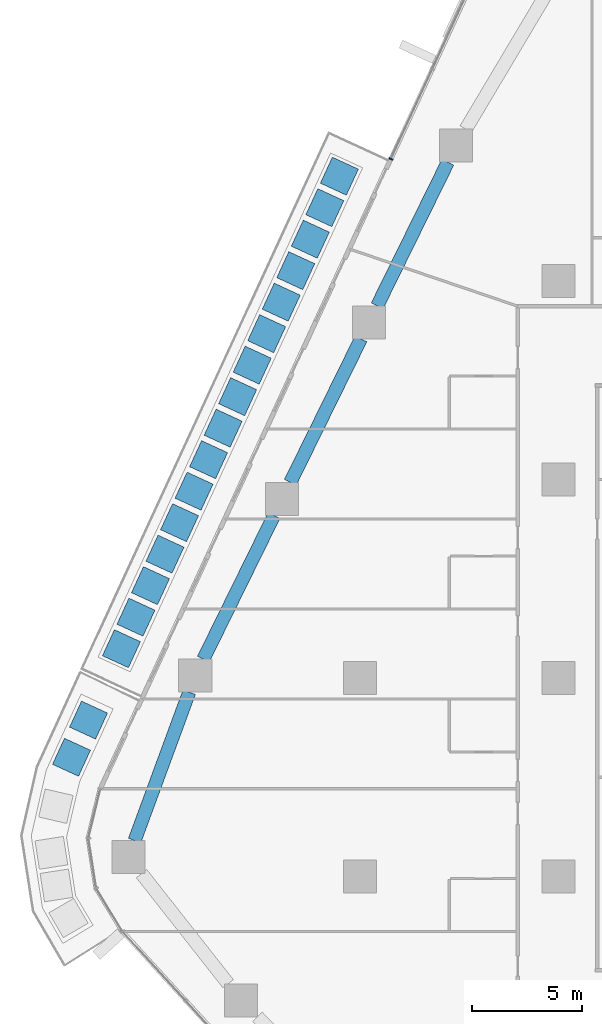
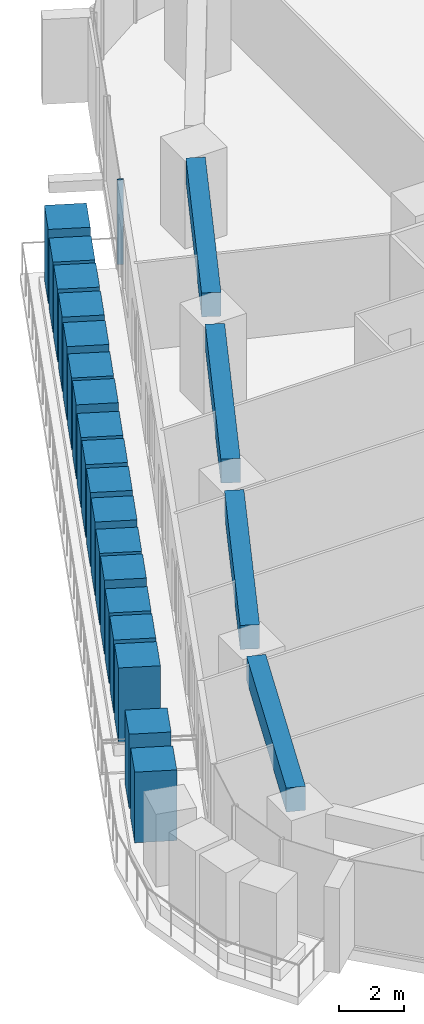
# One storey, part 6 of 27: 19 members, 4 beams, 1 element without a shape of its own.
"""IFC4 building model written with IfcOpenShell, lengths in metres."""

from ifc_helpers import new_model, si_unit, direction, frame, origin, origin_2d, place, context, subcontext, project, spatial, rectangle, extrude, material, layer, layer_set, material_profile, profile_set, type_object, element, aggregate, save


model = new_model("IFC4")

# Units and contexts
model_context = context("Model", 3, precision=1e-05, world=origin(), true_north=direction((0.0, 1.0)))
body_context = subcontext(model_context, "Body", "Model", "MODEL_VIEW")
ifc_project = project(units=[si_unit("LENGTHUNIT", "METRE"), si_unit("AREAUNIT", "SQUARE_METRE"), si_unit("VOLUMEUNIT", "CUBIC_METRE"), si_unit("PLANEANGLEUNIT", "RADIAN"), si_unit("MASSUNIT", "GRAM", prefix="KILO")], contexts=[model_context])

# Site, building, storey
site_placement = place(None, origin())
site = spatial("IfcSite", under=ifc_project, at=site_placement, CompositionType="ELEMENT")
building_placement = place(site_placement, origin())
building = spatial("IfcBuilding", under=site, at=building_placement, Name="Dongbaek Canopy Tower", CompositionType="ELEMENT")
storey_placement = place(building_placement, frame((0.0, 0.0, 58.800048828125)))
storey = spatial("IfcBuildingStorey", under=building, at=storey_placement, Name="L10", CompositionType="ELEMENT", Elevation=58.800048828125)

# Curtain wall, member
ifc_material_1 = material(Name="Aluminium 6063-T6 pale anodised", Category="aluminium")
ifc_layer = layer(ifc_material_1, 0.199951171875)
ifc_layer_set = layer_set([ifc_layer], Name="CW-1 unitised tower curtain wall")
curtain_wall_type = type_object("IfcCurtainWallType", Name="CW-1 unitised tower curtain wall", PredefinedType="NOTDEFINED", material=ifc_layer_set)
curtain_wall_placement = place(storey_placement, origin())
curtain_wall = element("IfcCurtainWall", 1, at=curtain_wall_placement, inside=storey, type_object=curtain_wall_type, Name="CW-1 curtain wall F2.1", PredefinedType="NOTDEFINED")
ifc_material_2 = material(Name="Aluminium 6063-T6 pale anodised", Category="aluminium")
ifc_material_profile_1 = material_profile(ifc_material_2, rectangle(XDim=0.199951171875, YDim=0.06005859375, at=origin_2d()), Name="CW-1 mullion 60 x 200")
ifc_profile_set_1 = profile_set([ifc_material_profile_1], Name="Aluminium 6063-T6 pale anodised")
member_type_1 = type_object("IfcMemberType", Name="CW-1 mullion 60 x 200", PredefinedType="MULLION", material=ifc_profile_set_1)
member_1_placement = place(storey_placement, frame((-25.60107421875, 23.524169921875, 0.119873046875), z_axis=(0.0, 0.0, 1.0), x_axis=(-0.908073315942, 0.418811237761, 0.0)))
member_1 = element("IfcMember", 2, at=member_1_placement, type_object=member_type_1, Name="CW-1 mullion F2.1.3", PredefinedType="MULLION", context=body_context, shape_type="SweptSolid", body=[
    extrude(rectangle(XDim=0.199951171875, YDim=0.06005859375, at=origin_2d()), origin(), (0.0, 0.0, 1.0), 3.18017578125),
])
aggregate(curtain_wall, [member_1])

# Beams
ifc_material_3 = material(Name="Concrete C80", Category="concrete")
ifc_material_profile_2 = material_profile(ifc_material_3, rectangle(XDim=0.60009765625, YDim=0.89990234375, at=origin_2d()), Name="RC EDGE BEAM 600x900 C80")
ifc_profile_set_2 = profile_set([ifc_material_profile_2], Name="Concrete C80")
beam_type = type_object("IfcBeamType", Name="RC EDGE BEAM 600x900 C80", PredefinedType="BEAM", material=ifc_profile_set_2)
beam_1_placement = place(storey_placement, frame((-37.213134765625, -7.373046875, 2.849853515625), z_axis=(0.345225397682, 0.938519805223, 0.0), x_axis=(-0.938519805223, 0.345225397682, 0.0)))
element("IfcBeam", 3, at=beam_1_placement, inside=storey, type_object=beam_type, Name="EDGEBEAM:L10:08", PredefinedType="BEAM", context=body_context, shape_type="SweptSolid", body=[
    extrude(rectangle(XDim=0.60009765625, YDim=0.89990234375, at=origin_2d()), origin(), (0.0, 0.0, 1.0), 7.166748046875),
])
beam_2_placement = place(storey_placement, frame((-34.09423828125, 0.85302734375, 2.849853515625), z_axis=(0.441292548313, 0.897363297, 0.0), x_axis=(-0.897363297, 0.441292548313, 0.0)))
element("IfcBeam", 4, at=beam_2_placement, inside=storey, type_object=beam_type, Name="EDGEBEAM:L10:09", PredefinedType="BEAM", context=body_context, shape_type="SweptSolid", body=[
    extrude(rectangle(XDim=0.60009765625, YDim=0.89990234375, at=origin_2d()), origin(), (0.0, 0.0, 1.0), 7.25244140625),
])
for number, where, z_axis, x_axis, name in (
    (5, (-30.156005859375, 8.861083984375, 2.849853515625), (0.441413427837, 0.897303842477, 0.0), (-0.897303842477, 0.441413427837, 0.0), "EDGEBEAM:L10:10"),
    (6, (-26.217041015625, 16.867919921875, 2.849853515625), (0.441318766596, 0.897350403271, 0.0), (-0.897350403271, 0.441318766596, 0.0), "EDGEBEAM:L10:11"),
):
    element("IfcBeam", number, at=place(storey_placement, frame(where, z_axis=z_axis, x_axis=x_axis)), inside=storey, type_object=beam_type, Name=name, PredefinedType="BEAM", context=body_context, shape_type="SweptSolid", body=[
        extrude(rectangle(XDim=0.60009765625, YDim=0.89990234375, at=origin_2d()), origin(), (0.0, 0.0, 1.0), 7.25146484375),
    ])

# Members
ifc_material_4 = material(Name="Concrete C40/50 planter mass with planting", Category="concrete")
ifc_material_profile_3 = material_profile(ifc_material_4, rectangle(XDim=1.300048828125, YDim=1.300048828125, at=origin_2d()), Name="Terrace PLANTER shrub mass 1300 x 1300")
ifc_profile_set_3 = profile_set([ifc_material_profile_3], Name="Concrete C40/50 planter mass with planting")
member_type_2 = type_object("IfcMemberType", Name="Terrace PLANTER shrub mass 1300 x 1300", PredefinedType="USERDEFINED", material=ifc_profile_set_3)
member_2_placement = place(storey_placement, frame((-27.9326171875, 22.74267578125, 0.419921875), z_axis=(0.0, 0.0, 1.0), x_axis=(-0.908073315942, 0.418811237761, 0.0)))
element("IfcMember", 7, at=member_2_placement, inside=storey, type_object=member_type_2, Name="Planter shrubs L10 3.1", ObjectType="PLANTER", PredefinedType="USERDEFINED", context=body_context, shape_type="SweptSolid", body=[
    extrude(rectangle(XDim=1.300048828125, YDim=1.300048828125, at=origin_2d()), origin(), (0.0, 0.0, 1.0), 2.780029296875),
])
member_3_placement = place(storey_placement, frame((-28.59130859375, 21.314697265625, 0.419921875), z_axis=(0.0, 0.0, 1.0), x_axis=(-0.908073315942, 0.418811237761, 0.0)))
element("IfcMember", 8, at=member_3_placement, inside=storey, type_object=member_type_2, Name="Planter shrubs L10 3.2", ObjectType="PLANTER", PredefinedType="USERDEFINED", context=body_context, shape_type="SweptSolid", body=[
    extrude(rectangle(XDim=1.300048828125, YDim=1.300048828125, at=origin_2d()), origin(), (0.0, 0.0, 1.0), 2.650146484375),
])
member_4_placement = place(storey_placement, frame((-29.249755859375, 19.88671875, 0.419921875), z_axis=(0.0, 0.0, 1.0), x_axis=(-0.908073315942, 0.418811237761, 0.0)))
element("IfcMember", 9, at=member_4_placement, inside=storey, type_object=member_type_2, Name="Planter shrubs L10 3.3", ObjectType="PLANTER", PredefinedType="USERDEFINED", context=body_context, shape_type="SweptSolid", body=[
    extrude(rectangle(XDim=1.300048828125, YDim=1.300048828125, at=origin_2d()), origin(), (0.0, 0.0, 1.0), 2.72998046875),
])
member_5_placement = place(storey_placement, frame((-29.908447265625, 18.458984375, 0.419921875), z_axis=(0.0, 0.0, 1.0), x_axis=(-0.908073315942, 0.418811237761, 0.0)))
element("IfcMember", 10, at=member_5_placement, inside=storey, type_object=member_type_2, Name="Planter shrubs L10 3.4", ObjectType="PLANTER", PredefinedType="USERDEFINED", context=body_context, shape_type="SweptSolid", body=[
    extrude(rectangle(XDim=1.300048828125, YDim=1.300048828125, at=origin_2d()), origin(), (0.0, 0.0, 1.0), 2.780029296875),
])
member_6_placement = place(storey_placement, frame((-30.56689453125, 17.031005859375, 0.419921875), z_axis=(0.0, 0.0, 1.0), x_axis=(-0.908073315942, 0.418811237761, 0.0)))
element("IfcMember", 11, at=member_6_placement, inside=storey, type_object=member_type_2, Name="Planter shrubs L10 3.5", ObjectType="PLANTER", PredefinedType="USERDEFINED", context=body_context, shape_type="SweptSolid", body=[
    extrude(rectangle(XDim=1.300048828125, YDim=1.300048828125, at=origin_2d()), origin(), (0.0, 0.0, 1.0), 2.77001953125),
])
member_7_placement = place(storey_placement, frame((-31.2255859375, 15.60302734375, 0.419921875), z_axis=(0.0, 0.0, 1.0), x_axis=(-0.908073315942, 0.418811237761, 0.0)))
element("IfcMember", 12, at=member_7_placement, inside=storey, type_object=member_type_2, Name="Planter shrubs L10 3.6", ObjectType="PLANTER", PredefinedType="USERDEFINED", context=body_context, shape_type="SweptSolid", body=[
    extrude(rectangle(XDim=1.300048828125, YDim=1.300048828125, at=origin_2d()), origin(), (0.0, 0.0, 1.0), 2.68994140625),
])
member_8_placement = place(storey_placement, frame((-31.884033203125, 14.17529296875, 0.419921875), z_axis=(0.0, 0.0, 1.0), x_axis=(-0.908073315942, 0.418811237761, 0.0)))
element("IfcMember", 13, at=member_8_placement, inside=storey, type_object=member_type_2, Name="Planter shrubs L10 3.7", ObjectType="PLANTER", PredefinedType="USERDEFINED", context=body_context, shape_type="SweptSolid", body=[
    extrude(rectangle(XDim=1.300048828125, YDim=1.300048828125, at=origin_2d()), origin(), (0.0, 0.0, 1.0), 2.780029296875),
])
member_9_placement = place(storey_placement, frame((-32.542724609375, 12.747314453125, 0.419921875), z_axis=(0.0, 0.0, 1.0), x_axis=(-0.908073315942, 0.418811237761, 0.0)))
element("IfcMember", 14, at=member_9_placement, inside=storey, type_object=member_type_2, Name="Planter shrubs L10 3.8", ObjectType="PLANTER", PredefinedType="USERDEFINED", context=body_context, shape_type="SweptSolid", body=[
    extrude(rectangle(XDim=1.300048828125, YDim=1.300048828125, at=origin_2d()), origin(), (0.0, 0.0, 1.0), 2.650146484375),
])
member_10_placement = place(storey_placement, frame((-33.201171875, 11.3193359375, 0.419921875), z_axis=(0.0, 0.0, 1.0), x_axis=(-0.908073315942, 0.418811237761, 0.0)))
element("IfcMember", 15, at=member_10_placement, inside=storey, type_object=member_type_2, Name="Planter shrubs L10 3.9", ObjectType="PLANTER", PredefinedType="USERDEFINED", context=body_context, shape_type="SweptSolid", body=[
    extrude(rectangle(XDim=1.300048828125, YDim=1.300048828125, at=origin_2d()), origin(), (0.0, 0.0, 1.0), 2.72998046875),
])
member_11_placement = place(storey_placement, frame((-33.85986328125, 9.891357421875, 0.419921875), z_axis=(0.0, 0.0, 1.0), x_axis=(-0.908073315942, 0.418811237761, 0.0)))
element("IfcMember", 16, at=member_11_placement, inside=storey, type_object=member_type_2, Name="Planter shrubs L10 3.10", ObjectType="PLANTER", PredefinedType="USERDEFINED", context=body_context, shape_type="SweptSolid", body=[
    extrude(rectangle(XDim=1.300048828125, YDim=1.300048828125, at=origin_2d()), origin(), (0.0, 0.0, 1.0), 2.780029296875),
])
member_12_placement = place(storey_placement, frame((-34.518310546875, 8.463623046875, 0.419921875), z_axis=(0.0, 0.0, 1.0), x_axis=(-0.908073315942, 0.418811237761, 0.0)))
element("IfcMember", 17, at=member_12_placement, inside=storey, type_object=member_type_2, Name="Planter shrubs L10 3.11", ObjectType="PLANTER", PredefinedType="USERDEFINED", context=body_context, shape_type="SweptSolid", body=[
    extrude(rectangle(XDim=1.300048828125, YDim=1.300048828125, at=origin_2d()), origin(), (0.0, 0.0, 1.0), 2.77001953125),
])
member_13_placement = place(storey_placement, frame((-35.177001953125, 7.03564453125, 0.419921875), z_axis=(0.0, 0.0, 1.0), x_axis=(-0.908073315942, 0.418811237761, 0.0)))
element("IfcMember", 18, at=member_13_placement, inside=storey, type_object=member_type_2, Name="Planter shrubs L10 3.12", ObjectType="PLANTER", PredefinedType="USERDEFINED", context=body_context, shape_type="SweptSolid", body=[
    extrude(rectangle(XDim=1.300048828125, YDim=1.300048828125, at=origin_2d()), origin(), (0.0, 0.0, 1.0), 2.68994140625),
])
member_14_placement = place(storey_placement, frame((-35.83544921875, 5.607666015625, 0.419921875), z_axis=(0.0, 0.0, 1.0), x_axis=(-0.908073315942, 0.418811237761, 0.0)))
element("IfcMember", 19, at=member_14_placement, inside=storey, type_object=member_type_2, Name="Planter shrubs L10 3.13", ObjectType="PLANTER", PredefinedType="USERDEFINED", context=body_context, shape_type="SweptSolid", body=[
    extrude(rectangle(XDim=1.300048828125, YDim=1.300048828125, at=origin_2d()), origin(), (0.0, 0.0, 1.0), 2.780029296875),
])
member_15_placement = place(storey_placement, frame((-36.494140625, 4.1796875, 0.419921875), z_axis=(0.0, 0.0, 1.0), x_axis=(-0.908073315942, 0.418811237761, 0.0)))
element("IfcMember", 20, at=member_15_placement, inside=storey, type_object=member_type_2, Name="Planter shrubs L10 3.14", ObjectType="PLANTER", PredefinedType="USERDEFINED", context=body_context, shape_type="SweptSolid", body=[
    extrude(rectangle(XDim=1.300048828125, YDim=1.300048828125, at=origin_2d()), origin(), (0.0, 0.0, 1.0), 2.650146484375),
])
member_16_placement = place(storey_placement, frame((-37.152587890625, 2.751953125, 0.419921875), z_axis=(0.0, 0.0, 1.0), x_axis=(-0.908073315942, 0.418811237761, 0.0)))
element("IfcMember", 21, at=member_16_placement, inside=storey, type_object=member_type_2, Name="Planter shrubs L10 3.15", ObjectType="PLANTER", PredefinedType="USERDEFINED", context=body_context, shape_type="SweptSolid", body=[
    extrude(rectangle(XDim=1.300048828125, YDim=1.300048828125, at=origin_2d()), origin(), (0.0, 0.0, 1.0), 2.72998046875),
])
for number, where, z_axis, x_axis, name in (
    (22, (-37.811279296875, 1.323974609375, 0.419921875), (0.0, 0.0, 1.0), (-0.908073315942, 0.418811237761, 0.0), "Planter shrubs L10 3.16"),
    (23, (-39.3017578125, -1.91259765625, 0.419921875), (0.0, 0.0, 1.0), (-0.908982413023, 0.416834466923, 0.0), "Planter shrubs L10 7.1"),
):
    element("IfcMember", number, at=place(storey_placement, frame(where, z_axis=z_axis, x_axis=x_axis)), inside=storey, type_object=member_type_2, Name=name, ObjectType="PLANTER", PredefinedType="USERDEFINED", context=body_context, shape_type="SweptSolid", body=[
        extrude(rectangle(XDim=1.300048828125, YDim=1.300048828125, at=origin_2d()), origin(), (0.0, 0.0, 1.0), 2.780029296875),
    ])
member_17_placement = place(storey_placement, frame((-40.074462890625, -3.597900390625, 0.419921875), z_axis=(0.0, 0.0, 1.0), x_axis=(-0.908982413023, 0.416834466923, 0.0)))
element("IfcMember", 24, at=member_17_placement, inside=storey, type_object=member_type_2, Name="Planter shrubs L10 7.2", ObjectType="PLANTER", PredefinedType="USERDEFINED", context=body_context, shape_type="SweptSolid", body=[
    extrude(rectangle(XDim=1.300048828125, YDim=1.300048828125, at=origin_2d()), origin(), (0.0, 0.0, 1.0), 2.650146484375),
])

save(model, "model.ifc")
